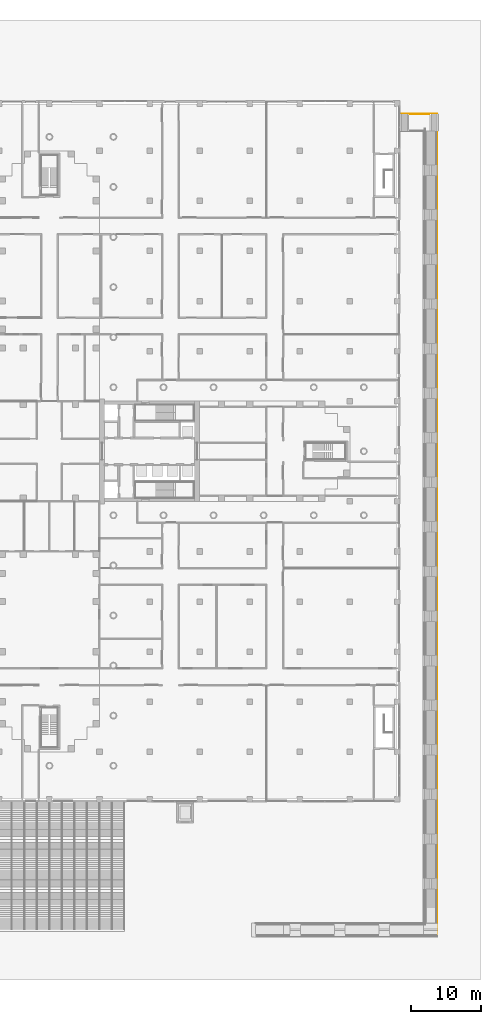
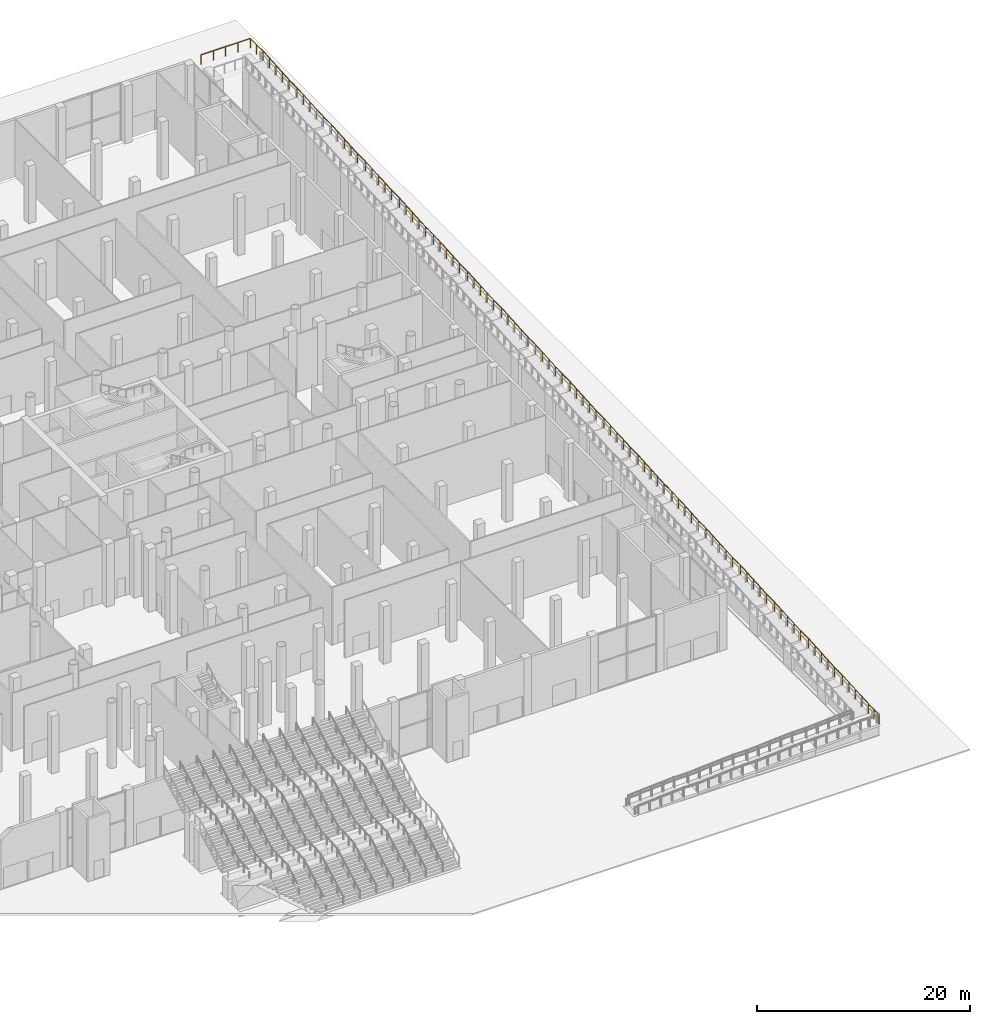
# One storey, part 39 of 44: 1 railing.
"""IFC4 building model written with IfcOpenShell, lengths in metres."""

from ifc_helpers import new_model, si_unit, direction, frame, origin, origin_2d, place, context, subcontext, project, spatial, circle, extrude, material, type_object, element, save


model = new_model("IFC4")

# Units and contexts
model_context = context("Model", 3, precision=1e-05, world=origin(), true_north=direction((0.0, 1.0)))
body_context = subcontext(model_context, "Body", "Model", "MODEL_VIEW")
ifc_project = project(units=[si_unit("LENGTHUNIT", "METRE"), si_unit("AREAUNIT", "SQUARE_METRE"), si_unit("VOLUMEUNIT", "CUBIC_METRE"), si_unit("PLANEANGLEUNIT", "RADIAN"), si_unit("MASSUNIT", "GRAM", prefix="KILO")], contexts=[model_context])

# Site, building, storey
site_placement = place(None, origin())
site = spatial("IfcSite", under=ifc_project, at=site_placement, CompositionType="ELEMENT")
building_placement = place(site_placement, origin())
building = spatial("IfcBuilding", under=site, at=building_placement, Name="Fustian Cross Tower", CompositionType="ELEMENT")
storey_placement = place(building_placement, origin())
storey = spatial("IfcBuildingStorey", under=building, at=storey_placement, Name="L00", CompositionType="ELEMENT", Elevation=0.0)

# Railing
ifc_material = material(Name="Steel S355", Category="steel")
railing_type = type_object("IfcRailingType", Name="STEEL GUARD 1100", PredefinedType="GUARDRAIL", material=ifc_material)
railing_placement = place(storey_placement, frame((55.75, -69.75, 1.30908203125)))
element("IfcRailing", 1, at=railing_placement, inside=storey, type_object=railing_type, Name="Ramp guard outer east leg", PredefinedType="GUARDRAIL", context=body_context, shape_type="SweptSolid", body=[
    extrude(circle(Radius=0.02392578125, at=origin_2d()), frame((0.0, 0.0, 1.076171875), z_axis=(0.0, 1.0, 0.0), x_axis=(-1.0, 0.0, 0.0)), (0.0, 0.0, 1.0), 1.949951171875),
    extrude(circle(Radius=0.02392578125, at=origin_2d()), frame((0.0, 1.949951171875, 1.076171875), z_axis=(0.0, 0.99778362065, 0.066542064616), x_axis=(-1.0, 0.0, 0.0)), (0.0, 0.0, 1.0), 4.920166015625),
    extrude(circle(Radius=0.02392578125, at=origin_2d()), frame((0.0, 6.859130859375, 1.4033203125), z_axis=(0.0, 1.0, 0.0), x_axis=(-1.0, 0.0, 0.0)), (0.0, 0.0, 1.0), 1.5),
    extrude(circle(Radius=0.02392578125, at=origin_2d()), frame((0.0, 8.359130859375, 1.4033203125), z_axis=(0.0, 0.997786694612, 0.066495955179), x_axis=(-1.0, 0.0, 0.0)), (0.0, 0.0, 1.0), 4.919921875),
    extrude(circle(Radius=0.02392578125, at=origin_2d()), frame((0.0, 13.26806640625, 1.73046875), z_axis=(0.0, 1.0, 0.0), x_axis=(-1.0, 0.0, 0.0)), (0.0, 0.0, 1.0), 1.5),
    extrude(circle(Radius=0.02392578125, at=origin_2d()), frame((0.0, 14.76806640625, 1.73046875), z_axis=(0.0, 0.99778362065, 0.066542064616), x_axis=(-1.0, 0.0, 0.0)), (0.0, 0.0, 1.0), 4.920166015625),
    extrude(circle(Radius=0.02392578125, at=origin_2d()), frame((0.0, 19.67724609375, 2.05810546875), z_axis=(0.0, 1.0, 0.0), x_axis=(-1.0, 0.0, 0.0)), (0.0, 0.0, 1.0), 1.5),
    extrude(circle(Radius=0.02392578125, at=origin_2d()), frame((0.0, 21.17724609375, 2.05810546875), z_axis=(0.0, 0.997786914018, 0.06649266286), x_axis=(-1.0, 0.0, 0.0)), (0.0, 0.0, 1.0), 4.920166015625),
    extrude(circle(Radius=0.02392578125, at=origin_2d()), frame((0.0, 26.08642578125, 2.38525390625), z_axis=(0.0, 1.0, 0.0), x_axis=(-1.0, 0.0, 0.0)), (0.0, 0.0, 1.0), 1.5),
    extrude(circle(Radius=0.02392578125, at=origin_2d()), frame((0.0, 27.58642578125, 2.38525390625), z_axis=(0.0, 0.997783400918, 0.066545359359), x_axis=(-1.0, 0.0, 0.0)), (0.0, 0.0, 1.0), 4.919921875),
    extrude(circle(Radius=0.02392578125, at=origin_2d()), frame((0.0, 32.495361328125, 2.71240234375), z_axis=(0.0, 1.0, 0.0), x_axis=(-1.0, 0.0, 0.0)), (0.0, 0.0, 1.0), 1.5),
    extrude(circle(Radius=0.02392578125, at=origin_2d()), frame((0.0, 33.995361328125, 2.71240234375), z_axis=(0.0, 0.997786914018, 0.06649266286), x_axis=(-1.0, 0.0, 0.0)), (0.0, 0.0, 1.0), 4.920166015625),
    extrude(circle(Radius=0.02392578125, at=origin_2d()), frame((0.0, 38.904541015625, 3.03955078125), z_axis=(0.0, 1.0, 0.0), x_axis=(-1.0, 0.0, 0.0)), (0.0, 0.0, 1.0), 1.5),
    extrude(circle(Radius=0.02392578125, at=origin_2d()), frame((0.0, 40.404541015625, 3.03955078125), z_axis=(0.0, 0.99778362065, 0.066542064616), x_axis=(-1.0, 0.0, 0.0)), (0.0, 0.0, 1.0), 4.920166015625),
    extrude(circle(Radius=0.02392578125, at=origin_2d()), frame((0.0, 45.313720703125, 3.3671875), z_axis=(0.0, 1.0, 0.0), x_axis=(-1.0, 0.0, 0.0)), (0.0, 0.0, 1.0), 1.5),
    extrude(circle(Radius=0.02392578125, at=origin_2d()), frame((0.0, 46.813720703125, 3.3671875), z_axis=(0.0, 0.997786694612, 0.066495955179), x_axis=(-1.0, 0.0, 0.0)), (0.0, 0.0, 1.0), 4.919921875),
    extrude(circle(Radius=0.02392578125, at=origin_2d()), frame((0.0, 51.72265625, 3.6943359375), z_axis=(0.0, 1.0, 0.0), x_axis=(-1.0, 0.0, 0.0)), (0.0, 0.0, 1.0), 1.5),
    extrude(circle(Radius=0.02392578125, at=origin_2d()), frame((0.0, 53.22265625, 3.6943359375), z_axis=(0.0, 0.99778362065, 0.066542064616), x_axis=(-1.0, 0.0, 0.0)), (0.0, 0.0, 1.0), 4.920166015625),
    extrude(circle(Radius=0.02392578125, at=origin_2d()), frame((0.0, 58.1318359375, 4.021484375), z_axis=(0.0, 1.0, 0.0), x_axis=(-1.0, 0.0, 0.0)), (0.0, 0.0, 1.0), 1.5),
    extrude(circle(Radius=0.02392578125, at=origin_2d()), frame((0.0, 59.6318359375, 4.021484375), z_axis=(0.0, 0.997786914018, 0.06649266286), x_axis=(-1.0, 0.0, 0.0)), (0.0, 0.0, 1.0), 4.920166015625),
    extrude(circle(Radius=0.02392578125, at=origin_2d()), frame((0.0, 64.541015625, 4.3486328125), z_axis=(0.0, 1.0, 0.0), x_axis=(-1.0, 0.0, 0.0)), (0.0, 0.0, 1.0), 1.5),
    extrude(circle(Radius=0.02392578125, at=origin_2d()), frame((0.0, 66.041015625, 4.3486328125), z_axis=(0.0, 0.997783400918, 0.066545359359), x_axis=(-1.0, 0.0, 0.0)), (0.0, 0.0, 1.0), 4.919921875),
    extrude(circle(Radius=0.02392578125, at=origin_2d()), frame((0.0, 70.949951171875, 4.67626953125), z_axis=(0.0, 1.0, 0.0), x_axis=(-1.0, 0.0, 0.0)), (0.0, 0.0, 1.0), 1.5),
    extrude(circle(Radius=0.02392578125, at=origin_2d()), frame((0.0, 72.449951171875, 4.67626953125), z_axis=(0.0, 0.997786914018, 0.06649266286), x_axis=(-1.0, 0.0, 0.0)), (0.0, 0.0, 1.0), 4.920166015625),
    extrude(circle(Radius=0.02392578125, at=origin_2d()), frame((0.0, 77.359130859375, 5.00341796875), z_axis=(0.0, 1.0, 0.0), x_axis=(-1.0, 0.0, 0.0)), (0.0, 0.0, 1.0), 1.5),
    extrude(circle(Radius=0.02392578125, at=origin_2d()), frame((0.0, 78.859130859375, 5.00341796875), z_axis=(0.0, 0.997783400918, 0.066545359359), x_axis=(-1.0, 0.0, 0.0)), (0.0, 0.0, 1.0), 4.919921875),
    extrude(circle(Radius=0.02392578125, at=origin_2d()), frame((0.0, 83.76806640625, 5.33056640625), z_axis=(0.0, 1.0, 0.0), x_axis=(-1.0, 0.0, 0.0)), (0.0, 0.0, 1.0), 1.5),
    extrude(circle(Radius=0.02392578125, at=origin_2d()), frame((0.0, 85.26806640625, 5.33056640625), z_axis=(0.0, 0.997786914018, 0.06649266286), x_axis=(-1.0, 0.0, 0.0)), (0.0, 0.0, 1.0), 4.920166015625),
    extrude(circle(Radius=0.02392578125, at=origin_2d()), frame((0.0, 90.17724609375, 5.65771484375), z_axis=(0.0, 1.0, 0.0), x_axis=(-1.0, 0.0, 0.0)), (0.0, 0.0, 1.0), 1.5),
    extrude(circle(Radius=0.02392578125, at=origin_2d()), frame((0.0, 91.67724609375, 5.65771484375), z_axis=(0.0, 0.99778362065, 0.066542064616), x_axis=(-1.0, 0.0, 0.0)), (0.0, 0.0, 1.0), 4.920166015625),
    extrude(circle(Radius=0.02392578125, at=origin_2d()), frame((0.0, 96.58642578125, 5.9853515625), z_axis=(0.0, 1.0, 0.0), x_axis=(-1.0, 0.0, 0.0)), (0.0, 0.0, 1.0), 1.5),
    extrude(circle(Radius=0.02392578125, at=origin_2d()), frame((0.0, 98.08642578125, 5.9853515625), z_axis=(0.0, 0.997786694612, 0.066495955179), x_axis=(-1.0, 0.0, 0.0)), (0.0, 0.0, 1.0), 4.919921875),
    extrude(circle(Radius=0.02392578125, at=origin_2d()), frame((0.0, 102.995361328125, 6.3125), z_axis=(0.0, 1.0, 0.0), x_axis=(-1.0, 0.0, 0.0)), (0.0, 0.0, 1.0), 1.5),
    extrude(circle(Radius=0.02392578125, at=origin_2d()), frame((0.0, 104.495361328125, 6.3125), z_axis=(0.0, 0.99778362065, 0.066542064616), x_axis=(-1.0, 0.0, 0.0)), (0.0, 0.0, 1.0), 4.920166015625),
    extrude(circle(Radius=0.02392578125, at=origin_2d()), frame((0.0, 109.404541015625, 6.6396484375), z_axis=(0.0, 1.0, 0.0), x_axis=(-1.0, 0.0, 0.0)), (0.0, 0.0, 1.0), 1.5),
    extrude(circle(Radius=0.02392578125, at=origin_2d()), frame((0.0, 110.904541015625, 6.6396484375), z_axis=(0.0, 0.997786914018, 0.06649266286), x_axis=(-1.0, 0.0, 0.0)), (0.0, 0.0, 1.0), 4.920166015625),
    extrude(circle(Radius=0.02392578125, at=origin_2d()), frame((0.0, 115.813720703125, 6.966796875), z_axis=(0.0, 1.0, 0.0), x_axis=(-1.0, 0.0, 0.0)), (0.0, 0.0, 1.0), 2.39990234375),
    extrude(circle(Radius=0.02392578125, at=origin_2d()), frame((0.0, 118.213623046875, 6.966796875), z_axis=(-1.0, 0.0, 0.0), x_axis=(0.0, -1.0, 0.0)), (0.0, 0.0, 1.0), 5.35009765625),
    extrude(circle(Radius=0.02099609375, at=origin_2d()), origin(), (0.0, 0.0, 1.0), 1.052001953125),
    extrude(circle(Radius=0.02099609375, at=origin_2d()), frame((0.0, 0.97509765625, 0.0)), (0.0, 0.0, 1.0), 1.052001953125),
    extrude(circle(Radius=0.02099609375, at=origin_2d()), frame((0.0, 1.949951171875, 0.0)), (0.0, 0.0, 1.0), 1.052001953125),
    extrude(circle(Radius=0.02099609375, at=origin_2d()), frame((0.0, 3.17724609375, 0.081787109375)), (0.0, 0.0, 1.0), 1.052001953125),
    extrude(circle(Radius=0.02099609375, at=origin_2d()), frame((0.0, 4.404541015625, 0.16357421875)), (0.0, 0.0, 1.0), 1.052001953125),
    extrude(circle(Radius=0.02099609375, at=origin_2d()), frame((0.0, 5.6318359375, 0.24560546875)), (0.0, 0.0, 1.0), 1.052001953125),
    extrude(circle(Radius=0.02099609375, at=origin_2d()), frame((0.0, 6.859130859375, 0.327392578125)), (0.0, 0.0, 1.0), 1.052001953125),
    extrude(circle(Radius=0.02099609375, at=origin_2d()), frame((0.0, 8.359130859375, 0.327392578125)), (0.0, 0.0, 1.0), 1.052001953125),
    extrude(circle(Radius=0.02099609375, at=origin_2d()), frame((0.0, 9.58642578125, 0.4091796875)), (0.0, 0.0, 1.0), 1.052001953125),
    extrude(circle(Radius=0.02099609375, at=origin_2d()), frame((0.0, 10.8134765625, 0.490966796875)), (0.0, 0.0, 1.0), 1.052001953125),
    extrude(circle(Radius=0.02099609375, at=origin_2d()), frame((0.0, 12.040771484375, 0.57275390625)), (0.0, 0.0, 1.0), 1.052001953125),
    extrude(circle(Radius=0.02099609375, at=origin_2d()), frame((0.0, 13.26806640625, 0.654541015625)), (0.0, 0.0, 1.0), 1.052001953125),
    extrude(circle(Radius=0.02099609375, at=origin_2d()), frame((0.0, 14.76806640625, 0.654541015625)), (0.0, 0.0, 1.0), 1.052001953125),
    extrude(circle(Radius=0.02099609375, at=origin_2d()), frame((0.0, 15.995361328125, 0.736328125)), (0.0, 0.0, 1.0), 1.052001953125),
    extrude(circle(Radius=0.02099609375, at=origin_2d()), frame((0.0, 17.22265625, 0.818359375)), (0.0, 0.0, 1.0), 1.052001953125),
    extrude(circle(Radius=0.02099609375, at=origin_2d()), frame((0.0, 18.449951171875, 0.900146484375)), (0.0, 0.0, 1.0), 1.052001953125),
    extrude(circle(Radius=0.02099609375, at=origin_2d()), frame((0.0, 19.67724609375, 0.98193359375)), (0.0, 0.0, 1.0), 1.052001953125),
    extrude(circle(Radius=0.02099609375, at=origin_2d()), frame((0.0, 21.17724609375, 0.98193359375)), (0.0, 0.0, 1.0), 1.052001953125),
    extrude(circle(Radius=0.02099609375, at=origin_2d()), frame((0.0, 22.404541015625, 1.063720703125)), (0.0, 0.0, 1.0), 1.052001953125),
    extrude(circle(Radius=0.02099609375, at=origin_2d()), frame((0.0, 23.6318359375, 1.1455078125)), (0.0, 0.0, 1.0), 1.052001953125),
    extrude(circle(Radius=0.02099609375, at=origin_2d()), frame((0.0, 24.859130859375, 1.227294921875)), (0.0, 0.0, 1.0), 1.052001953125),
    extrude(circle(Radius=0.02099609375, at=origin_2d()), frame((0.0, 26.08642578125, 1.30908203125)), (0.0, 0.0, 1.0), 1.052001953125),
    extrude(circle(Radius=0.02099609375, at=origin_2d()), frame((0.0, 27.58642578125, 1.30908203125)), (0.0, 0.0, 1.0), 1.052001953125),
    extrude(circle(Radius=0.02099609375, at=origin_2d()), frame((0.0, 28.813720703125, 1.390869140625)), (0.0, 0.0, 1.0), 1.052001953125),
    extrude(circle(Radius=0.02099609375, at=origin_2d()), frame((0.0, 30.041015625, 1.47265625)), (0.0, 0.0, 1.0), 1.052001953125),
    extrude(circle(Radius=0.02099609375, at=origin_2d()), frame((0.0, 31.26806640625, 1.5546875)), (0.0, 0.0, 1.0), 1.052001953125),
    extrude(circle(Radius=0.02099609375, at=origin_2d()), frame((0.0, 32.495361328125, 1.636474609375)), (0.0, 0.0, 1.0), 1.052001953125),
    extrude(circle(Radius=0.02099609375, at=origin_2d()), frame((0.0, 33.995361328125, 1.636474609375)), (0.0, 0.0, 1.0), 1.052001953125),
    extrude(circle(Radius=0.02099609375, at=origin_2d()), frame((0.0, 35.22265625, 1.71826171875)), (0.0, 0.0, 1.0), 1.052001953125),
    extrude(circle(Radius=0.02099609375, at=origin_2d()), frame((0.0, 36.449951171875, 1.800048828125)), (0.0, 0.0, 1.0), 1.052001953125),
    extrude(circle(Radius=0.02099609375, at=origin_2d()), frame((0.0, 37.67724609375, 1.8818359375)), (0.0, 0.0, 1.0), 1.052001953125),
    extrude(circle(Radius=0.02099609375, at=origin_2d()), frame((0.0, 38.904541015625, 1.963623046875)), (0.0, 0.0, 1.0), 1.052001953125),
    extrude(circle(Radius=0.02099609375, at=origin_2d()), frame((0.0, 40.404541015625, 1.963623046875)), (0.0, 0.0, 1.0), 1.052001953125),
    extrude(circle(Radius=0.02099609375, at=origin_2d()), frame((0.0, 41.6318359375, 2.04541015625)), (0.0, 0.0, 1.0), 1.052001953125),
    extrude(circle(Radius=0.02099609375, at=origin_2d()), frame((0.0, 42.859130859375, 2.12744140625)), (0.0, 0.0, 1.0), 1.052001953125),
    extrude(circle(Radius=0.02099609375, at=origin_2d()), frame((0.0, 44.08642578125, 2.209228515625)), (0.0, 0.0, 1.0), 1.052001953125),
    extrude(circle(Radius=0.02099609375, at=origin_2d()), frame((0.0, 45.313720703125, 2.291015625)), (0.0, 0.0, 1.0), 1.052001953125),
    extrude(circle(Radius=0.02099609375, at=origin_2d()), frame((0.0, 46.813720703125, 2.291015625)), (0.0, 0.0, 1.0), 1.052001953125),
    extrude(circle(Radius=0.02099609375, at=origin_2d()), frame((0.0, 48.041015625, 2.372802734375)), (0.0, 0.0, 1.0), 1.052001953125),
    extrude(circle(Radius=0.02099609375, at=origin_2d()), frame((0.0, 49.26806640625, 2.45458984375)), (0.0, 0.0, 1.0), 1.052001953125),
    extrude(circle(Radius=0.02099609375, at=origin_2d()), frame((0.0, 50.495361328125, 2.536376953125)), (0.0, 0.0, 1.0), 1.052001953125),
    extrude(circle(Radius=0.02099609375, at=origin_2d()), frame((0.0, 51.72265625, 2.6181640625)), (0.0, 0.0, 1.0), 1.052001953125),
    extrude(circle(Radius=0.02099609375, at=origin_2d()), frame((0.0, 53.22265625, 2.6181640625)), (0.0, 0.0, 1.0), 1.052001953125),
    extrude(circle(Radius=0.02099609375, at=origin_2d()), frame((0.0, 54.449951171875, 2.699951171875)), (0.0, 0.0, 1.0), 1.052001953125),
    extrude(circle(Radius=0.02099609375, at=origin_2d()), frame((0.0, 55.67724609375, 2.78173828125)), (0.0, 0.0, 1.0), 1.052001953125),
    extrude(circle(Radius=0.02099609375, at=origin_2d()), frame((0.0, 56.904541015625, 2.86376953125)), (0.0, 0.0, 1.0), 1.052001953125),
    extrude(circle(Radius=0.02099609375, at=origin_2d()), frame((0.0, 58.1318359375, 2.945556640625)), (0.0, 0.0, 1.0), 1.052001953125),
    extrude(circle(Radius=0.02099609375, at=origin_2d()), frame((0.0, 59.6318359375, 2.945556640625)), (0.0, 0.0, 1.0), 1.052001953125),
    extrude(circle(Radius=0.02099609375, at=origin_2d()), frame((0.0, 60.859130859375, 3.02734375)), (0.0, 0.0, 1.0), 1.052001953125),
    extrude(circle(Radius=0.02099609375, at=origin_2d()), frame((0.0, 62.08642578125, 3.109130859375)), (0.0, 0.0, 1.0), 1.052001953125),
    extrude(circle(Radius=0.02099609375, at=origin_2d()), frame((0.0, 63.313720703125, 3.19091796875)), (0.0, 0.0, 1.0), 1.052001953125),
    extrude(circle(Radius=0.02099609375, at=origin_2d()), frame((0.0, 64.541015625, 3.272705078125)), (0.0, 0.0, 1.0), 1.052001953125),
    extrude(circle(Radius=0.02099609375, at=origin_2d()), frame((0.0, 66.041015625, 3.272705078125)), (0.0, 0.0, 1.0), 1.052001953125),
    extrude(circle(Radius=0.02099609375, at=origin_2d()), frame((0.0, 67.268310546875, 3.3544921875)), (0.0, 0.0, 1.0), 1.052001953125),
    extrude(circle(Radius=0.02099609375, at=origin_2d()), frame((0.0, 68.49560546875, 3.4365234375)), (0.0, 0.0, 1.0), 1.052001953125),
    extrude(circle(Radius=0.02099609375, at=origin_2d()), frame((0.0, 69.72265625, 3.518310546875)), (0.0, 0.0, 1.0), 1.052001953125),
    extrude(circle(Radius=0.02099609375, at=origin_2d()), frame((0.0, 70.949951171875, 3.60009765625)), (0.0, 0.0, 1.0), 1.052001953125),
    extrude(circle(Radius=0.02099609375, at=origin_2d()), frame((0.0, 72.449951171875, 3.60009765625)), (0.0, 0.0, 1.0), 1.052001953125),
    extrude(circle(Radius=0.02099609375, at=origin_2d()), frame((0.0, 73.67724609375, 3.681884765625)), (0.0, 0.0, 1.0), 1.052001953125),
    extrude(circle(Radius=0.02099609375, at=origin_2d()), frame((0.0, 74.904541015625, 3.763671875)), (0.0, 0.0, 1.0), 1.052001953125),
    extrude(circle(Radius=0.02099609375, at=origin_2d()), frame((0.0, 76.1318359375, 3.845458984375)), (0.0, 0.0, 1.0), 1.052001953125),
    extrude(circle(Radius=0.02099609375, at=origin_2d()), frame((0.0, 77.359130859375, 3.92724609375)), (0.0, 0.0, 1.0), 1.052001953125),
    extrude(circle(Radius=0.02099609375, at=origin_2d()), frame((0.0, 78.859130859375, 3.92724609375)), (0.0, 0.0, 1.0), 1.052001953125),
    extrude(circle(Radius=0.02099609375, at=origin_2d()), frame((0.0, 80.08642578125, 4.009033203125)), (0.0, 0.0, 1.0), 1.052001953125),
    extrude(circle(Radius=0.02099609375, at=origin_2d()), frame((0.0, 81.3134765625, 4.0908203125)), (0.0, 0.0, 1.0), 1.052001953125),
    extrude(circle(Radius=0.02099609375, at=origin_2d()), frame((0.0, 82.540771484375, 4.1728515625)), (0.0, 0.0, 1.0), 1.052001953125),
    extrude(circle(Radius=0.02099609375, at=origin_2d()), frame((0.0, 83.76806640625, 4.254638671875)), (0.0, 0.0, 1.0), 1.052001953125),
    extrude(circle(Radius=0.02099609375, at=origin_2d()), frame((0.0, 85.26806640625, 4.254638671875)), (0.0, 0.0, 1.0), 1.052001953125),
    extrude(circle(Radius=0.02099609375, at=origin_2d()), frame((0.0, 86.495361328125, 4.33642578125)), (0.0, 0.0, 1.0), 1.052001953125),
    extrude(circle(Radius=0.02099609375, at=origin_2d()), frame((0.0, 87.72265625, 4.418212890625)), (0.0, 0.0, 1.0), 1.052001953125),
    extrude(circle(Radius=0.02099609375, at=origin_2d()), frame((0.0, 88.949951171875, 4.5)), (0.0, 0.0, 1.0), 1.052001953125),
    extrude(circle(Radius=0.02099609375, at=origin_2d()), frame((0.0, 90.17724609375, 4.581787109375)), (0.0, 0.0, 1.0), 1.052001953125),
    extrude(circle(Radius=0.02099609375, at=origin_2d()), frame((0.0, 91.67724609375, 4.581787109375)), (0.0, 0.0, 1.0), 1.052001953125),
    extrude(circle(Radius=0.02099609375, at=origin_2d()), frame((0.0, 92.904541015625, 4.66357421875)), (0.0, 0.0, 1.0), 1.052001953125),
    extrude(circle(Radius=0.02099609375, at=origin_2d()), frame((0.0, 94.1318359375, 4.74560546875)), (0.0, 0.0, 1.0), 1.052001953125),
    extrude(circle(Radius=0.02099609375, at=origin_2d()), frame((0.0, 95.359130859375, 4.827392578125)), (0.0, 0.0, 1.0), 1.052001953125),
    extrude(circle(Radius=0.02099609375, at=origin_2d()), frame((0.0, 96.58642578125, 4.9091796875)), (0.0, 0.0, 1.0), 1.052001953125),
    extrude(circle(Radius=0.02099609375, at=origin_2d()), frame((0.0, 98.08642578125, 4.9091796875)), (0.0, 0.0, 1.0), 1.052001953125),
    extrude(circle(Radius=0.02099609375, at=origin_2d()), frame((0.0, 99.313720703125, 4.990966796875)), (0.0, 0.0, 1.0), 1.052001953125),
    extrude(circle(Radius=0.02099609375, at=origin_2d()), frame((0.0, 100.541015625, 5.07275390625)), (0.0, 0.0, 1.0), 1.052001953125),
    extrude(circle(Radius=0.02099609375, at=origin_2d()), frame((0.0, 101.76806640625, 5.154541015625)), (0.0, 0.0, 1.0), 1.052001953125),
    extrude(circle(Radius=0.02099609375, at=origin_2d()), frame((0.0, 102.995361328125, 5.236328125)), (0.0, 0.0, 1.0), 1.052001953125),
    extrude(circle(Radius=0.02099609375, at=origin_2d()), frame((0.0, 104.495361328125, 5.236328125)), (0.0, 0.0, 1.0), 1.052001953125),
    extrude(circle(Radius=0.02099609375, at=origin_2d()), frame((0.0, 105.72265625, 5.318115234375)), (0.0, 0.0, 1.0), 1.052001953125),
    extrude(circle(Radius=0.02099609375, at=origin_2d()), frame((0.0, 106.949951171875, 5.39990234375)), (0.0, 0.0, 1.0), 1.052001953125),
    extrude(circle(Radius=0.02099609375, at=origin_2d()), frame((0.0, 108.17724609375, 5.48193359375)), (0.0, 0.0, 1.0), 1.052001953125),
    extrude(circle(Radius=0.02099609375, at=origin_2d()), frame((0.0, 109.404541015625, 5.563720703125)), (0.0, 0.0, 1.0), 1.052001953125),
    extrude(circle(Radius=0.02099609375, at=origin_2d()), frame((0.0, 110.904541015625, 5.563720703125)), (0.0, 0.0, 1.0), 1.052001953125),
    extrude(circle(Radius=0.02099609375, at=origin_2d()), frame((0.0, 112.1318359375, 5.6455078125)), (0.0, 0.0, 1.0), 1.052001953125),
    extrude(circle(Radius=0.02099609375, at=origin_2d()), frame((0.0, 113.359130859375, 5.727294921875)), (0.0, 0.0, 1.0), 1.052001953125),
    extrude(circle(Radius=0.02099609375, at=origin_2d()), frame((0.0, 114.58642578125, 5.80908203125)), (0.0, 0.0, 1.0), 1.052001953125),
    extrude(circle(Radius=0.02099609375, at=origin_2d()), frame((0.0, 115.813720703125, 5.890869140625)), (0.0, 0.0, 1.0), 1.052001953125),
    extrude(circle(Radius=0.02099609375, at=origin_2d()), frame((0.0, 117.013671875, 5.890869140625)), (0.0, 0.0, 1.0), 1.052001953125),
    extrude(circle(Radius=0.02099609375, at=origin_2d()), frame((0.0, 118.213623046875, 5.890869140625)), (0.0, 0.0, 1.0), 1.052001953125),
    extrude(circle(Radius=0.02099609375, at=origin_2d()), frame((-1.33740234375, 118.213623046875, 5.890869140625)), (0.0, 0.0, 1.0), 1.052001953125),
    extrude(circle(Radius=0.02099609375, at=origin_2d()), frame((-2.675048828125, 118.213623046875, 5.890869140625)), (0.0, 0.0, 1.0), 1.052001953125),
    extrude(circle(Radius=0.02099609375, at=origin_2d()), frame((-4.0126953125, 118.213623046875, 5.890869140625)), (0.0, 0.0, 1.0), 1.052001953125),
    extrude(circle(Radius=0.02099609375, at=origin_2d()), frame((-5.35009765625, 118.213623046875, 5.890869140625)), (0.0, 0.0, 1.0), 1.052001953125),
])

save(model, "model.ifc")
